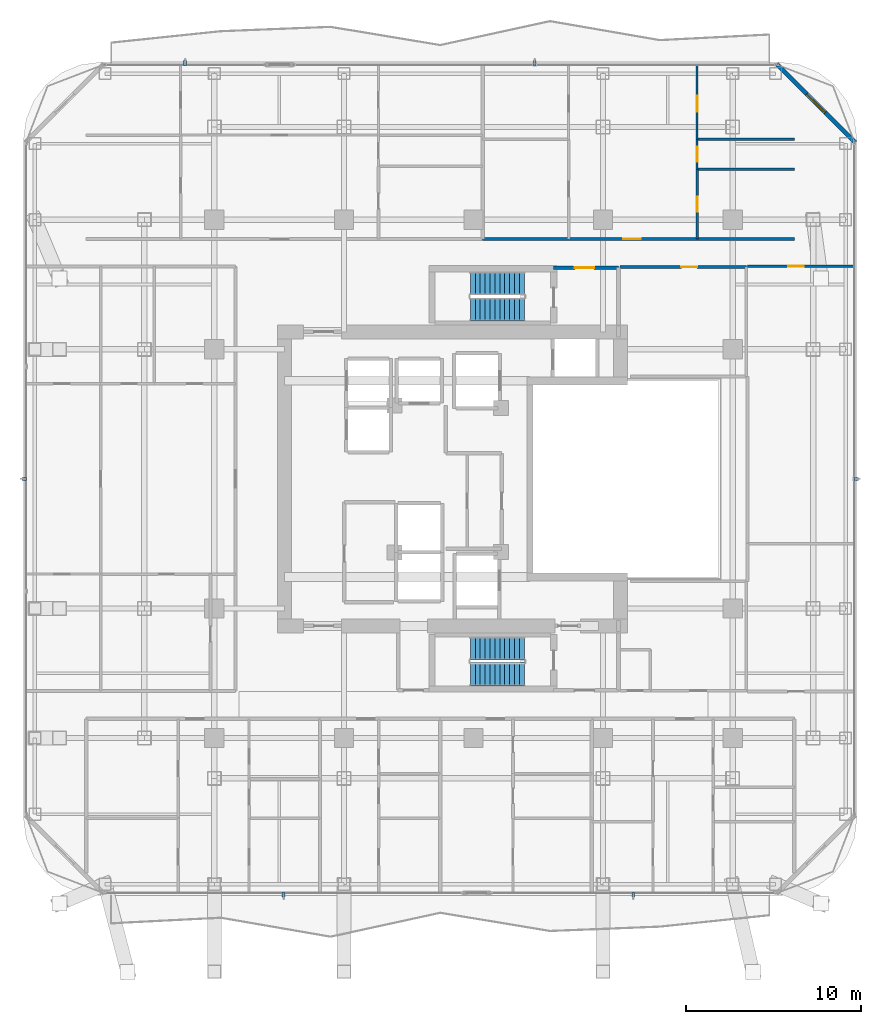
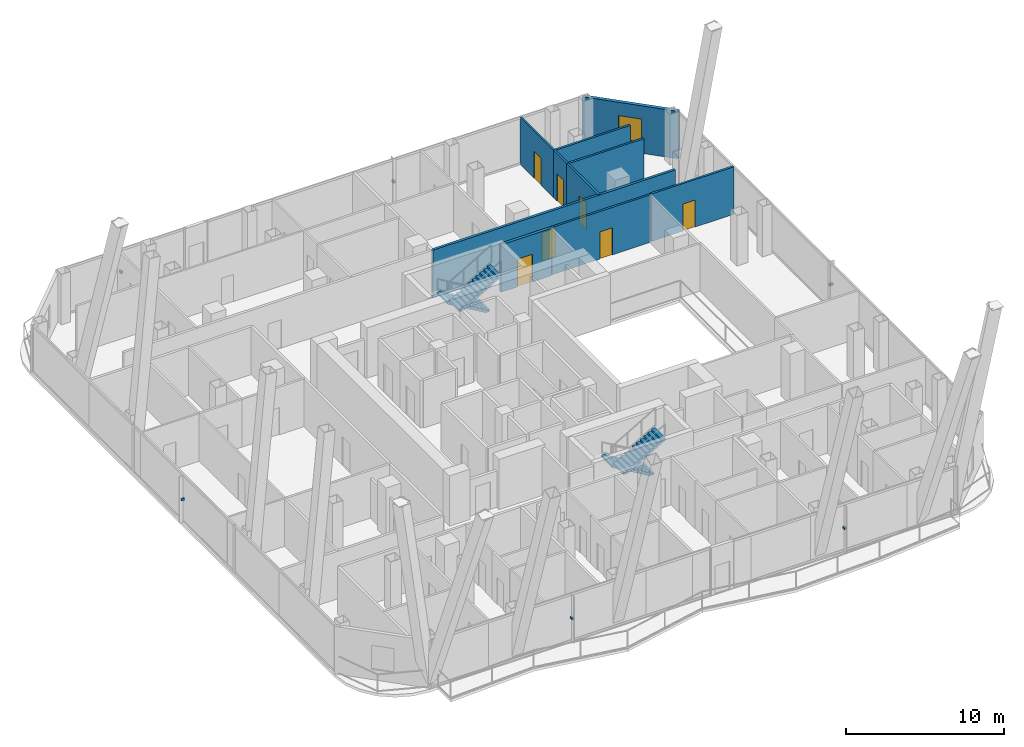
# One storey, part 27 of 34: 10 walls, 7 doors, 6 discrete accessories, 4 stair flights, 1 window, 8 openings, 2 elements without a shape of their own.
"""IFC4 building model written with IfcOpenShell, lengths in metres."""

from ifc_helpers import new_model, si_unit, direction, frame, frame_2d, origin, origin_2d, place, context, subcontext, project, spatial, polyline, rectangle, outline, extrude, material, layer, layer_set, type_object, element, fill, aggregate, save


model = new_model("IFC4")

# Units and contexts
model_context = context("Model", 3, precision=1e-05, world=origin(), true_north=direction((0.0, 1.0)))
body_context = subcontext(model_context, "Body", "Model", "MODEL_VIEW")
ifc_project = project(units=[si_unit("LENGTHUNIT", "METRE"), si_unit("AREAUNIT", "SQUARE_METRE"), si_unit("VOLUMEUNIT", "CUBIC_METRE"), si_unit("PLANEANGLEUNIT", "RADIAN"), si_unit("MASSUNIT", "GRAM", prefix="KILO")], contexts=[model_context])

# Site, building, storey
site_placement = place(None, origin())
site = spatial("IfcSite", under=ifc_project, at=site_placement, CompositionType="ELEMENT")
building_placement = place(site_placement, origin())
building = spatial("IfcBuilding", under=site, at=building_placement, Name="Khorvyn Point Tower", CompositionType="ELEMENT")
storey_placement = place(building_placement, frame((0.0, 0.0, 175.800048828125)))
storey = spatial("IfcBuildingStorey", under=building, at=storey_placement, Name="L43", CompositionType="ELEMENT", Elevation=175.800048828125)

# Wall, opening, door
ifc_material_1 = material(Name="Double acoustic gypsum on twin steel stud", Category="steel")
ifc_layer_1 = layer(ifc_material_1, 0.179931640625)
ifc_layer_set_1 = layer_set([ifc_layer_1], Name="Acoustic Double-Stud Apartment Demising Wall 180")
wall_type_1 = type_object("IfcWallType", Name="Acoustic Double-Stud Apartment Demising Wall 180", PredefinedType="PARTITIONING", material=ifc_layer_set_1)
wall_1_placement = place(storey_placement, frame((0.52587890625, 13.699951171875, 0.0), z_axis=(0.0, 0.0, 1.0), x_axis=(1.0, 0.0, 0.0)))
wall_1 = element("IfcWall", 1, at=wall_1_placement, inside=storey, type_object=wall_type_1, Name="Wall", PredefinedType="PARTITIONING", context=body_context, shape_type="SweptSolid", body=[
    extrude(rectangle(XDim=17.794189453125, YDim=0.179931640625, at=frame_2d((8.89697265625, 0.0))), origin(), (0.0, 0.0, 1.0), 3.679931640625),
])
opening_1_placement = place(wall_1_placement, frame((8.038818359375, 0.0, 0.0)))
opening_1 = element("IfcOpeningElement", 2, at=opening_1_placement, cuts=wall_1, Name="Opening ID-AP60", PredefinedType="OPENING", context=body_context, shape_type="SweptSolid", body=[
    extrude(rectangle(XDim=1.0, YDim=2.199951171875, at=frame_2d((0.5, 1.10009765625))), frame((0.0, 0.099853515625, 0.0), z_axis=(0.0, -1.0, 0.0), x_axis=(1.0, 0.0, 0.0)), (0.0, 0.0, 1.0), 0.199951171875),
])
ifc_material_2 = material(Name="Engineered hardwood fire-rated leaf", Category="wood")
door_type_1 = type_object("IfcDoorType", Name="Acoustic Solid-Core Timber Apartment Entrance Door 1000x2200", OperationType="NOTDEFINED", PredefinedType="DOOR", material=ifc_material_2)
door_1_placement = place(opening_1_placement, origin())
door_1 = element("IfcDoor", 3, at=door_1_placement, inside=storey, type_object=door_type_1, Name="Door", OperationType="SINGLE_SWING_RIGHT", OverallHeight=2.199951171875, OverallWidth=1.0, PredefinedType="DOOR", context=body_context, shape_type="SweptSolid", body=[
    extrude(rectangle(XDim=1.0, YDim=2.199951171875, at=frame_2d((0.5, 1.10009765625))), frame((0.0, 0.02490234375, 0.0), z_axis=(0.0, -1.0, 0.0), x_axis=(1.0, 0.0, 0.0)), (0.0, 0.0, 1.0), 0.050048828125),
])
fill(opening_1, door_1)

# Wall, opening, window
ifc_material_3 = material(Name="Pale anodised aluminium rainscreen on steel stud", Category="steel")
ifc_layer_2 = layer(ifc_material_3, 0.239990234375)
ifc_layer_set_2 = layer_set([ifc_layer_2], Name="Anodised Aluminium Insulated Corner Spandrel Wall 240")
wall_type_2 = type_object("IfcWallType", Name="Anodised Aluminium Insulated Corner Spandrel Wall 240", PredefinedType="SOLIDWALL", material=ifc_layer_set_2)
wall_2_placement = place(storey_placement, frame((17.3076171875, 23.6923828125, 0.0), z_axis=(0.0, 0.0, 1.0), x_axis=(0.707106781187, -0.707106781187, 0.0)))
wall_2 = element("IfcWall", 4, at=wall_2_placement, inside=storey, type_object=wall_type_2, Name="L43 Rounded Corner Wall NE", PredefinedType="SOLIDWALL", context=body_context, shape_type="SweptSolid", body=[
    extrude(rectangle(XDim=6.342529296875, YDim=0.239990234375, at=frame_2d((3.17138671875, 0.0))), origin(), (0.0, 0.0, 1.0), 3.679931640625),
])
opening_2_placement = place(wall_2_placement, frame((2.42138671875, 0.0, 0.800048828125)))
opening_2 = element("IfcOpeningElement", 5, at=opening_2_placement, cuts=wall_2, Name="Opening WN-1518", PredefinedType="OPENING", context=body_context, shape_type="SweptSolid", body=[
    extrude(rectangle(XDim=1.5, YDim=1.85009765625, at=frame_2d((0.75, 0.925048828125))), frame((0.0, 0.1298828125, 0.0), z_axis=(0.0, -1.0, 0.0), x_axis=(1.0, 0.0, 0.0)), (0.0, 0.0, 1.0), 0.260009765625),
])
ifc_material_4 = material(Name="Anodised aluminium 6063-T6 and laminated Low-E glass", Category="aluminium")
window_type = type_object("IfcWindowType", Name="Anodised Aluminium Rounded-Corner Panoramic Window 1500x1850", PartitioningType="SINGLE_PANEL", PredefinedType="WINDOW", material=ifc_material_4)
window_placement = place(opening_2_placement, origin())
window = element("IfcWindow", 6, at=window_placement, inside=storey, type_object=window_type, Name="L43 Corner Panoramic Window NE", OverallHeight=1.85009765625, OverallWidth=1.5, PartitioningType="SINGLE_PANEL", PredefinedType="WINDOW", context=body_context, shape_type="SweptSolid", body=[
    extrude(rectangle(XDim=1.5, YDim=1.85009765625, at=frame_2d((0.75, 0.925048828125))), frame((0.0, 0.030029296875, 0.0), z_axis=(0.0, -1.0, 0.0), x_axis=(1.0, 0.0, 0.0)), (0.0, 0.0, 1.0), 0.06005859375),
])
fill(opening_2, window)

# Wall, opening, door
ifc_material_5 = material(Name="Concrete C40/50", Category="concrete")
ifc_layer_3 = layer(ifc_material_5, 0.199951171875)
ifc_layer_set_3 = layer_set([ifc_layer_3], Name="Concrete C40/50 Fire-Lobby Compartment Wall 200")
wall_type_3 = type_object("IfcWallType", Name="Concrete C40/50 Fire-Lobby Compartment Wall 200", PredefinedType="SOLIDWALL", material=ifc_layer_set_3)
wall_3_placement = place(storey_placement, frame((4.580078125, 12.06005859375, 0.0), z_axis=(0.0, 0.0, 1.0), x_axis=(1.0, 0.0, 0.0)))
wall_3 = element("IfcWall", 7, at=wall_3_placement, inside=storey, type_object=wall_type_3, Name="Wall", PredefinedType="SOLIDWALL", context=body_context, shape_type="SweptSolid", body=[
    extrude(rectangle(XDim=3.699951171875, YDim=0.199951171875, at=frame_2d((1.85009765625, 0.0))), origin(), (0.0, 0.0, 1.0), 3.679931640625),
])
opening_3_placement = place(wall_3_placement, frame((1.21240234375, 0.0, 0.0)))
opening_3 = element("IfcOpeningElement", 8, at=opening_3_placement, cuts=wall_3, Name="Opening ID-FL90", PredefinedType="OPENING", context=body_context, shape_type="SweptSolid", body=[
    extrude(rectangle(XDim=1.10009765625, YDim=2.14990234375, at=frame_2d((0.550048828125, 1.074951171875))), frame((0.0, 0.10986328125, 0.0), z_axis=(0.0, -1.0, 0.0), x_axis=(1.0, 0.0, 0.0)), (0.0, 0.0, 1.0), 0.219970703125),
])
ifc_material_6 = material(Name="Galvanised powder-coated steel", Category="steel")
door_type_2 = type_object("IfcDoorType", Name="Fire-Rated Steel Lobby and Stair Door 1100x2150", OperationType="NOTDEFINED", PredefinedType="DOOR", material=ifc_material_6)
door_2_placement = place(opening_3_placement, origin())
door_2 = element("IfcDoor", 9, at=door_2_placement, inside=storey, type_object=door_type_2, Name="Door", OperationType="SINGLE_SWING_LEFT", OverallHeight=2.14990234375, OverallWidth=1.10009765625, PredefinedType="DOOR", context=body_context, shape_type="SweptSolid", body=[
    extrude(rectangle(XDim=1.10009765625, YDim=2.14990234375, at=frame_2d((0.550048828125, 1.074951171875))), frame((0.0, 0.02490234375, 0.0), z_axis=(0.0, -1.0, 0.0), x_axis=(1.0, 0.0, 0.0)), (0.0, 0.0, 1.0), 0.050048828125),
])
fill(opening_3, door_2)

ifc_material_7 = material(Name="Gypsum plasterboard on steel stud", Category="steel")
ifc_layer_4 = layer(ifc_material_7, 0.1201171875)
ifc_layer_set_4 = layer_set([ifc_layer_4], Name="Gypsum Acoustic Stud Room Partition Wall 120")
wall_type_4 = type_object("IfcWallType", Name="Gypsum Acoustic Stud Room Partition Wall 120", PredefinedType="PARTITIONING", material=ifc_layer_set_4)
wall_4_placement = place(storey_placement, frame((12.76806640625, 17.68310546875, 0.0), z_axis=(0.0, 0.0, 1.0), x_axis=(0.0, 1.0, 0.0)))
wall_4 = element("IfcWall", 10, at=wall_4_placement, inside=storey, type_object=wall_type_4, Name="Wall", PredefinedType="PARTITIONING", context=body_context, shape_type="SweptSolid", body=[
    extrude(rectangle(XDim=1.706787109375, YDim=0.1201171875, at=frame_2d((0.853515625, 0.0))), origin(), (0.0, 0.0, 1.0), 3.679931640625),
])
opening_4_placement = place(wall_4_placement, frame((0.428466796875, 0.0, 0.0)))
opening_4 = element("IfcOpeningElement", 11, at=opening_4_placement, cuts=wall_4, Name="Opening ID-WC85", PredefinedType="OPENING", context=body_context, shape_type="SweptSolid", body=[
    extrude(rectangle(XDim=0.85009765625, YDim=2.10009765625, at=frame_2d((0.425048828125, 1.050048828125))), frame((0.0, 0.070068359375, 0.0), z_axis=(0.0, -1.0, 0.0), x_axis=(1.0, 0.0, 0.0)), (0.0, 0.0, 1.0), 0.14013671875),
])
ifc_material_8 = material(Name="High-pressure laminate on moisture-resistant core", Category="wood")
door_type_3 = type_object("IfcDoorType", Name="Moisture-Resistant Accessible Washroom Door 850x2100", OperationType="NOTDEFINED", PredefinedType="DOOR", material=ifc_material_8)
door_3_placement = place(opening_4_placement, origin())
door_3 = element("IfcDoor", 12, at=door_3_placement, inside=storey, type_object=door_type_3, Name="Door", OperationType="SINGLE_SWING_RIGHT", OverallHeight=2.10009765625, OverallWidth=0.85009765625, PredefinedType="DOOR", context=body_context, shape_type="SweptSolid", body=[
    extrude(rectangle(XDim=0.85009765625, YDim=2.10009765625, at=frame_2d((0.425048828125, 1.050048828125))), frame((0.0, 0.02490234375, 0.0), z_axis=(0.0, -1.0, 0.0), x_axis=(1.0, 0.0, 0.0)), (0.0, 0.0, 1.0), 0.050048828125),
])
fill(opening_4, door_3)

wall_5_placement = place(storey_placement, frame((12.76806640625, 19.389892578125, 0.0), z_axis=(0.0, 0.0, 1.0), x_axis=(0.0, 1.0, 0.0)))
wall_5 = element("IfcWall", 13, at=wall_5_placement, inside=storey, type_object=wall_type_4, Name="Wall", PredefinedType="PARTITIONING", context=body_context, shape_type="SweptSolid", body=[
    extrude(rectangle(XDim=4.239990234375, YDim=0.1201171875, at=frame_2d((2.1201171875, 0.0))), origin(), (0.0, 0.0, 1.0), 3.679931640625),
])
opening_5_placement = place(wall_5_placement, frame((1.581298828125, 0.0, 0.0)))
opening_5 = element("IfcOpeningElement", 14, at=opening_5_placement, cuts=wall_5, Name="Opening ID-RM90", PredefinedType="OPENING", context=body_context, shape_type="SweptSolid", body=[
    extrude(rectangle(XDim=0.89990234375, YDim=2.10009765625, at=frame_2d((0.449951171875, 1.050048828125))), frame((0.0, 0.070068359375, 0.0), z_axis=(0.0, -1.0, 0.0), x_axis=(1.0, 0.0, 0.0)), (0.0, 0.0, 1.0), 0.14013671875),
])
ifc_material_9 = material(Name="Engineered oak veneer timber", Category="wood")
door_type_4 = type_object("IfcDoorType", Name="Flush Engineered Timber Room Door 900x2100", OperationType="NOTDEFINED", PredefinedType="DOOR", material=ifc_material_9)
door_4_placement = place(opening_5_placement, origin())
door_4 = element("IfcDoor", 15, at=door_4_placement, inside=storey, type_object=door_type_4, Name="Door", OperationType="SINGLE_SWING_LEFT", OverallHeight=2.10009765625, OverallWidth=0.89990234375, PredefinedType="DOOR", context=body_context, shape_type="SweptSolid", body=[
    extrude(rectangle(XDim=0.89990234375, YDim=2.10009765625, at=frame_2d((0.449951171875, 1.050048828125))), frame((0.0, 0.02490234375, 0.0), z_axis=(0.0, -1.0, 0.0), x_axis=(1.0, 0.0, 0.0)), (0.0, 0.0, 1.0), 0.050048828125),
])
fill(opening_5, door_4)

ifc_material_10 = material(Name="Moisture-resistant gypsum and cement board", Category="gypsum")
ifc_layer_5 = layer(ifc_material_10, 0.14990234375)
ifc_layer_set_5 = layer_set([ifc_layer_5], Name="Moisture-Resistant Wet-Room Partition Wall 150")
wall_type_5 = type_object("IfcWallType", Name="Moisture-Resistant Wet-Room Partition Wall 150", PredefinedType="PARTITIONING", material=ifc_layer_set_5)
wall_6_placement = place(storey_placement, frame((8.360107421875, 12.10009765625, 0.0), z_axis=(0.0, 0.0, 1.0), x_axis=(1.0, 0.0, 0.0)))
wall_6 = element("IfcWall", 16, at=wall_6_placement, inside=storey, type_object=wall_type_5, Name="Wall", PredefinedType="PARTITIONING", context=body_context, shape_type="SweptSolid", body=[
    extrude(rectangle(XDim=7.219970703125, YDim=0.14990234375, at=frame_2d((3.60986328125, 0.0))), origin(), (0.0, 0.0, 1.0), 3.679931640625),
])
opening_6_placement = place(wall_6_placement, frame((3.512939453125, 0.0, 0.0)))
opening_6 = element("IfcOpeningElement", 17, at=opening_6_placement, cuts=wall_6, Name="Opening ID-RM90", PredefinedType="OPENING", context=body_context, shape_type="SweptSolid", body=[
    extrude(rectangle(XDim=0.89990234375, YDim=2.10009765625, at=frame_2d((0.449951171875, 1.050048828125))), frame((0.0, 0.0849609375, 0.0), z_axis=(0.0, -1.0, 0.0), x_axis=(1.0, 0.0, 0.0)), (0.0, 0.0, 1.0), 0.169921875),
])
door_5_placement = place(opening_6_placement, origin())
door_5 = element("IfcDoor", 18, at=door_5_placement, inside=storey, type_object=door_type_4, Name="Door", OperationType="SINGLE_SWING_RIGHT", OverallHeight=2.10009765625, OverallWidth=0.89990234375, PredefinedType="DOOR", context=body_context, shape_type="SweptSolid", body=[
    extrude(rectangle(XDim=0.89990234375, YDim=2.10009765625, at=frame_2d((0.449951171875, 1.050048828125))), frame((0.0, 0.02490234375, 0.0), z_axis=(0.0, -1.0, 0.0), x_axis=(1.0, 0.0, 0.0)), (0.0, 0.0, 1.0), 0.050048828125),
])
fill(opening_6, door_5)

wall_7_placement = place(storey_placement, frame((12.76806640625, 13.699951171875, 0.0), z_axis=(0.0, 0.0, 1.0), x_axis=(0.0, 1.0, 0.0)))
wall_7 = element("IfcWall", 19, at=wall_7_placement, inside=storey, type_object=wall_type_5, Name="Wall", PredefinedType="PARTITIONING", context=body_context, shape_type="SweptSolid", body=[
    extrude(rectangle(XDim=3.983154296875, YDim=0.14990234375, at=frame_2d((1.99169921875, 0.0))), origin(), (0.0, 0.0, 1.0), 3.679931640625),
])
opening_7_placement = place(wall_7_placement, frame((1.56640625, 0.0, 0.0)))
opening_7 = element("IfcOpeningElement", 20, at=opening_7_placement, cuts=wall_7, Name="Opening ID-WC85", PredefinedType="OPENING", context=body_context, shape_type="SweptSolid", body=[
    extrude(rectangle(XDim=0.85009765625, YDim=2.10009765625, at=frame_2d((0.425048828125, 1.050048828125))), frame((0.0, 0.0849609375, 0.0), z_axis=(0.0, -1.0, 0.0), x_axis=(1.0, 0.0, 0.0)), (0.0, 0.0, 1.0), 0.169921875),
])
door_6_placement = place(opening_7_placement, origin())
door_6 = element("IfcDoor", 21, at=door_6_placement, inside=storey, type_object=door_type_3, Name="Door", OperationType="SINGLE_SWING_LEFT", OverallHeight=2.10009765625, OverallWidth=0.85009765625, PredefinedType="DOOR", context=body_context, shape_type="SweptSolid", body=[
    extrude(rectangle(XDim=0.85009765625, YDim=2.10009765625, at=frame_2d((0.425048828125, 1.050048828125))), frame((0.0, 0.02490234375, 0.0), z_axis=(0.0, -1.0, 0.0), x_axis=(1.0, 0.0, 0.0)), (0.0, 0.0, 1.0), 0.050048828125),
])
fill(opening_7, door_6)

wall_8_placement = place(storey_placement, frame((15.64990234375, 12.139892578125, 0.0), z_axis=(0.0, 0.0, 1.0), x_axis=(1.0, 0.0, 0.0)))
wall_8 = element("IfcWall", 22, at=wall_8_placement, inside=storey, type_object=wall_type_5, Name="Wall", PredefinedType="PARTITIONING", context=body_context, shape_type="SweptSolid", body=[
    extrude(rectangle(XDim=6.070068359375, YDim=0.14990234375, at=frame_2d((3.03515625, 0.0))), origin(), (0.0, 0.0, 1.0), 3.679931640625),
])
opening_8_placement = place(wall_8_placement, frame((2.315673828125, 0.0, 0.0)))
opening_8 = element("IfcOpeningElement", 23, at=opening_8_placement, cuts=wall_8, Name="Opening ID-RM90", PredefinedType="OPENING", context=body_context, shape_type="SweptSolid", body=[
    extrude(rectangle(XDim=0.89990234375, YDim=2.10009765625, at=frame_2d((0.449951171875, 1.050048828125))), frame((0.0, 0.0849609375, 0.0), z_axis=(0.0, -1.0, 0.0), x_axis=(1.0, 0.0, 0.0)), (0.0, 0.0, 1.0), 0.169921875),
])
door_7_placement = place(opening_8_placement, origin())
door_7 = element("IfcDoor", 24, at=door_7_placement, inside=storey, type_object=door_type_4, Name="Door", OperationType="SINGLE_SWING_LEFT", OverallHeight=2.10009765625, OverallWidth=0.89990234375, PredefinedType="DOOR", context=body_context, shape_type="SweptSolid", body=[
    extrude(rectangle(XDim=0.89990234375, YDim=2.10009765625, at=frame_2d((0.449951171875, 1.050048828125))), frame((0.0, 0.02490234375, 0.0), z_axis=(0.0, -1.0, 0.0), x_axis=(1.0, 0.0, 0.0)), (0.0, 0.0, 1.0), 0.050048828125),
])
fill(opening_8, door_7)

# Walls
for number, where, z_axis, x_axis, name in (
    (25, (12.76806640625, 17.68310546875, 0.0), (0.0, 0.0, 1.0), (1.0, 0.0, 0.0), "Wall"),
    (26, (12.76806640625, 19.389892578125, 0.0), (0.0, 0.0, 1.0), (1.0, 0.0, 0.0), "Wall"),
):
    element("IfcWall", number, at=place(storey_placement, frame(where, z_axis=z_axis, x_axis=x_axis)), inside=storey, type_object=wall_type_5, Name=name, PredefinedType="PARTITIONING", context=body_context, shape_type="SweptSolid", body=[
        extrude(rectangle(XDim=5.552001953125, YDim=0.14990234375, at=frame_2d((2.77587890625, 0.0))), origin(), (0.0, 0.0, 1.0), 3.679931640625),
    ])

# Stair, stair flights
stair_type = type_object("IfcStairType", Name="Tower Concrete C40/50 Dogleg Exit Stair", PredefinedType="HALF_TURN_STAIR", material=ifc_material_5)
stair_1_placement = place(storey_placement, origin())
stair_1 = element("IfcStair", 27, at=stair_1_placement, inside=storey, type_object=stair_type, Name="L43 Tower Smokeproof Exit Stair South", PredefinedType="HALF_TURN_STAIR")
stair_flight_type = type_object("IfcStairFlightType", Name="Tower Concrete C40/50 Stair Flight", PredefinedType="STRAIGHT", material=ifc_material_5)
stair_flight_1_placement = place(storey_placement, frame((2.89990234375, -9.679931640625, 0.0), z_axis=(0.0, 0.0, 1.0), x_axis=(-1.0, 0.0, 0.0)))
stair_flight_1 = element("IfcStairFlight", 28, at=stair_flight_1_placement, type_object=stair_flight_type, Name="ST-01 flight 1", NumberOfRisers=12, NumberOfTreads=11, PredefinedType="STRAIGHT", RiserHeight=0.1625, TreadLength=0.28, context=body_context, shape_type="SweptSolid", body=[
    extrude(outline(polyline([(0.0, 0.0), (0.0, 0.16259765625), (0.280029296875, 0.16259765625), (0.280029296875, 0.324951171875), (0.56005859375, 0.324951171875), (0.56005859375, 0.487548828125), (0.840087890625, 0.487548828125), (0.840087890625, 0.64990234375), (1.1201171875, 0.64990234375), (1.1201171875, 0.8125), (1.39990234375, 0.8125), (1.39990234375, 0.97509765625), (1.679931640625, 0.97509765625), (1.679931640625, 1.137451171875), (1.9599609375, 1.137451171875), (1.9599609375, 1.300048828125), (2.239990234375, 1.300048828125), (2.239990234375, 1.46240234375), (2.52001953125, 1.46240234375), (2.52001953125, 1.625), (2.800048828125, 1.625), (2.800048828125, 1.78759765625), (3.080078125, 1.78759765625), (3.080078125, 1.949951171875), (3.080078125, 1.6142578125), (0.298583984375, 0.0), (0.0, 0.0)])), frame((0.0, 0.66015625, 0.0), z_axis=(0.0, -1.0, 0.0), x_axis=(1.0, 0.0, 0.0)), (0.0, 0.0, 1.0), 1.320068359375),
])
stair_flight_2_placement = place(storey_placement, frame((-0.179931640625, -11.159912109375, 1.949951171875), z_axis=(0.0, 0.0, 1.0), x_axis=(1.0, 0.0, 0.0)))
stair_flight_2 = element("IfcStairFlight", 29, at=stair_flight_2_placement, type_object=stair_flight_type, Name="ST-01 flight 2", NumberOfRisers=12, NumberOfTreads=11, PredefinedType="STRAIGHT", RiserHeight=0.1625, TreadLength=0.28, context=body_context, shape_type="SweptSolid", body=[
    extrude(outline(polyline([(0.0, 0.0), (0.0, 0.16259765625), (0.280029296875, 0.16259765625), (0.280029296875, 0.324951171875), (0.56005859375, 0.324951171875), (0.56005859375, 0.487548828125), (0.840087890625, 0.487548828125), (0.840087890625, 0.64990234375), (1.1201171875, 0.64990234375), (1.1201171875, 0.8125), (1.39990234375, 0.8125), (1.39990234375, 0.97509765625), (1.679931640625, 0.97509765625), (1.679931640625, 1.137451171875), (1.9599609375, 1.137451171875), (1.9599609375, 1.300048828125), (2.239990234375, 1.300048828125), (2.239990234375, 1.46240234375), (2.52001953125, 1.46240234375), (2.52001953125, 1.625), (2.800048828125, 1.625), (2.800048828125, 1.78759765625), (3.080078125, 1.78759765625), (3.080078125, 1.949951171875), (3.080078125, 1.6142578125), (0.298583984375, 0.0), (0.0, 0.0)])), frame((0.0, 0.66015625, 0.0), z_axis=(0.0, -1.0, 0.0), x_axis=(1.0, 0.0, 0.0)), (0.0, 0.0, 1.0), 1.320068359375),
])
aggregate(stair_1, [stair_flight_1, stair_flight_2])

stair_2_placement = place(storey_placement, origin())
stair_2 = element("IfcStair", 30, at=stair_2_placement, inside=storey, type_object=stair_type, Name="L43 Tower Smokeproof Exit Stair North", PredefinedType="HALF_TURN_STAIR")
stair_flight_3_placement = place(storey_placement, frame((2.89990234375, 11.159912109375, 0.0), z_axis=(0.0, 0.0, 1.0), x_axis=(-1.0, 0.0, 0.0)))
stair_flight_3 = element("IfcStairFlight", 31, at=stair_flight_3_placement, type_object=stair_flight_type, Name="ST-02 flight 1", NumberOfRisers=12, NumberOfTreads=11, PredefinedType="STRAIGHT", RiserHeight=0.1625, TreadLength=0.28, context=body_context, shape_type="SweptSolid", body=[
    extrude(outline(polyline([(0.0, 0.0), (0.0, 0.16259765625), (0.280029296875, 0.16259765625), (0.280029296875, 0.324951171875), (0.56005859375, 0.324951171875), (0.56005859375, 0.487548828125), (0.840087890625, 0.487548828125), (0.840087890625, 0.64990234375), (1.1201171875, 0.64990234375), (1.1201171875, 0.8125), (1.39990234375, 0.8125), (1.39990234375, 0.97509765625), (1.679931640625, 0.97509765625), (1.679931640625, 1.137451171875), (1.9599609375, 1.137451171875), (1.9599609375, 1.300048828125), (2.239990234375, 1.300048828125), (2.239990234375, 1.46240234375), (2.52001953125, 1.46240234375), (2.52001953125, 1.625), (2.800048828125, 1.625), (2.800048828125, 1.78759765625), (3.080078125, 1.78759765625), (3.080078125, 1.949951171875), (3.080078125, 1.6142578125), (0.298583984375, 0.0), (0.0, 0.0)])), frame((0.0, 0.66015625, 0.0), z_axis=(0.0, -1.0, 0.0), x_axis=(1.0, 0.0, 0.0)), (0.0, 0.0, 1.0), 1.320068359375),
])
stair_flight_4_placement = place(storey_placement, frame((-0.179931640625, 9.679931640625, 1.949951171875), z_axis=(0.0, 0.0, 1.0), x_axis=(1.0, 0.0, 0.0)))
stair_flight_4 = element("IfcStairFlight", 32, at=stair_flight_4_placement, type_object=stair_flight_type, Name="ST-02 flight 2", NumberOfRisers=12, NumberOfTreads=11, PredefinedType="STRAIGHT", RiserHeight=0.1625, TreadLength=0.28, context=body_context, shape_type="SweptSolid", body=[
    extrude(outline(polyline([(0.0, 0.0), (0.0, 0.16259765625), (0.280029296875, 0.16259765625), (0.280029296875, 0.324951171875), (0.56005859375, 0.324951171875), (0.56005859375, 0.487548828125), (0.840087890625, 0.487548828125), (0.840087890625, 0.64990234375), (1.1201171875, 0.64990234375), (1.1201171875, 0.8125), (1.39990234375, 0.8125), (1.39990234375, 0.97509765625), (1.679931640625, 0.97509765625), (1.679931640625, 1.137451171875), (1.9599609375, 1.137451171875), (1.9599609375, 1.300048828125), (2.239990234375, 1.300048828125), (2.239990234375, 1.46240234375), (2.52001953125, 1.46240234375), (2.52001953125, 1.625), (2.800048828125, 1.625), (2.800048828125, 1.78759765625), (3.080078125, 1.78759765625), (3.080078125, 1.949951171875), (3.080078125, 1.6142578125), (0.298583984375, 0.0), (0.0, 0.0)])), frame((0.0, 0.66015625, 0.0), z_axis=(0.0, -1.0, 0.0), x_axis=(1.0, 0.0, 0.0)), (0.0, 0.0, 1.0), 1.320068359375),
])
aggregate(stair_2, [stair_flight_3, stair_flight_4])

# Discrete accessories
ifc_material_11 = material(Name="Stainless steel 1.4401", Category="steel")
discrete_accessory_type = type_object("IfcDiscreteAccessoryType", Name="Stainless Steel 316 Facade Fin Fixing Bracket", PredefinedType="BRACKET", material=ifc_material_11)
for number, where, z_axis, x_axis, name in (
    (33, (9.12353515625, -23.75, 1.759765625), (0.0, 0.0, 1.0), (-1.0, 0.0, 0.0), "L43 Solar Fin Fixing Bracket 01"),
    (34, (-10.846435546875, -23.75, 1.759765625), (0.0, 0.0, 1.0), (-1.0, 0.0, 0.0), "L43 Solar Fin Fixing Bracket 01"),
    (35, (-16.473388671875, 23.75, 1.759765625), (0.0, 0.0, 1.0), (1.0, 0.0, 0.0), "L43 Solar Fin Fixing Bracket 01"),
    (36, (3.49658203125, 23.75, 1.759765625), (0.0, 0.0, 1.0), (1.0, 0.0, 0.0), "L43 Solar Fin Fixing Bracket 01"),
    (37, (-25.64990234375, 0.0, 1.759765625), (0.0, 0.0, 1.0), (0.0, 1.0, 0.0), "L43 Solar Fin Fixing Bracket 01"),
    (38, (21.85009765625, 0.0, 1.759765625), (0.0, 0.0, 1.0), (0.0, -1.0, 0.0), "L43 Solar Fin Fixing Bracket 01"),
):
    element("IfcDiscreteAccessory", number, at=place(storey_placement, frame(where, z_axis=z_axis, x_axis=x_axis)), inside=storey, type_object=discrete_accessory_type, Name=name, PredefinedType="BRACKET", context=body_context, shape_type="SweptSolid", body=[
        extrude(rectangle(XDim=0.159912109375, YDim=0.260009765625, at=origin_2d()), origin(), (0.0, 0.0, 1.0), 0.159912109375),
    ])

save(model, "model.ifc")
